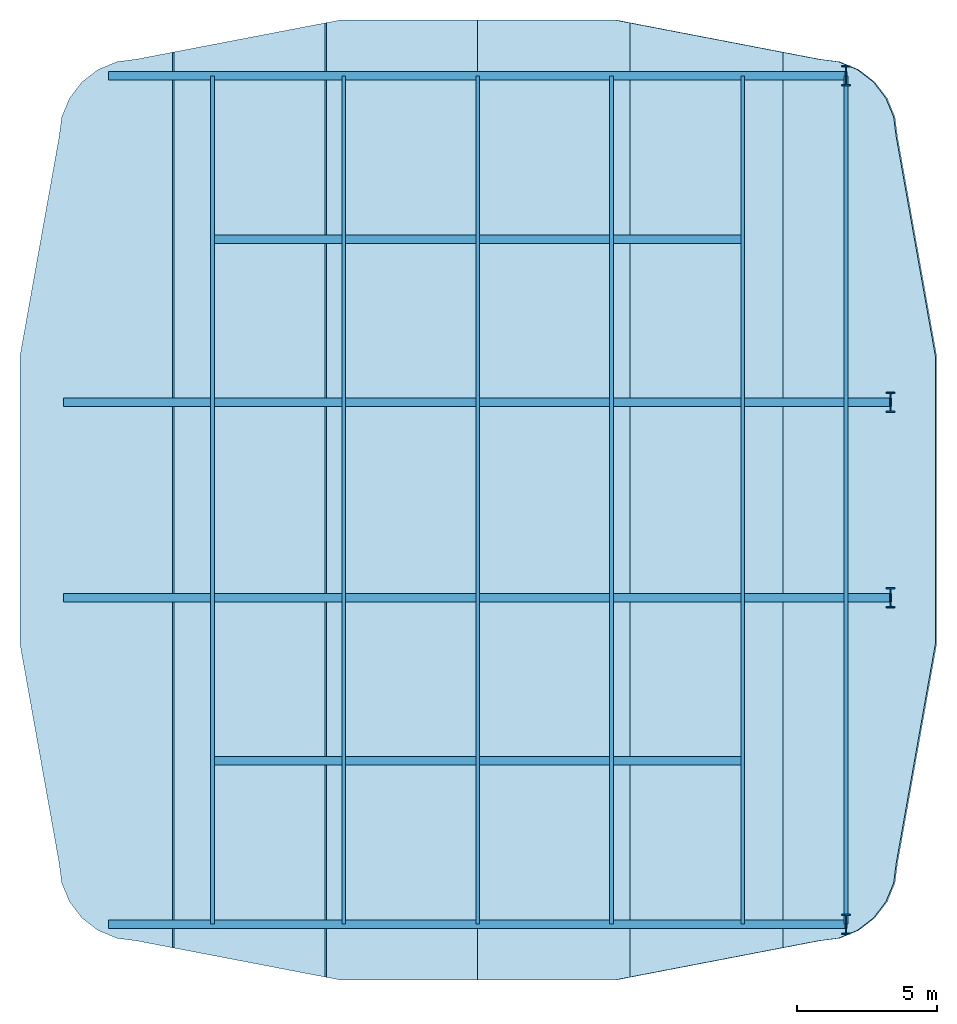
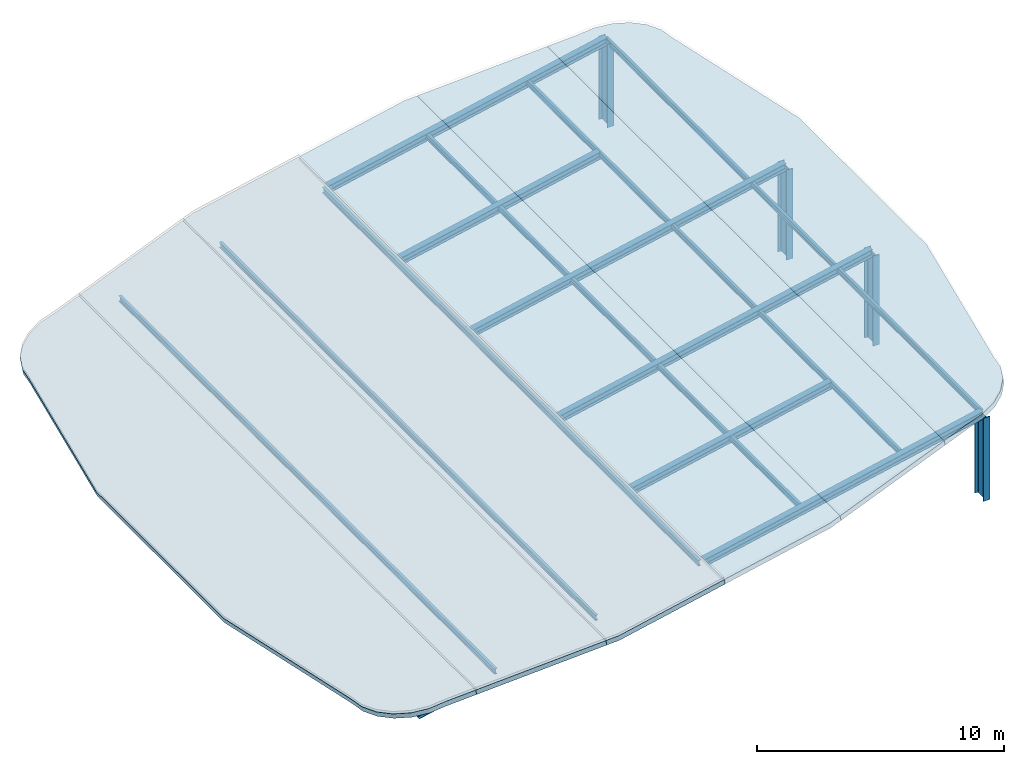
# One storey, part 1 of 2: 12 members, 6 slabs, 4 columns.
"""IFC4 building model written with IfcOpenShell, lengths in metres."""

from ifc_helpers import new_model, si_unit, derived_unit, direction, frame, origin, origin_2d, place, context, subcontext, project, spatial, polyline, i_section, outline, extrude, material, layer, layer_set, material_profile, profile_set, type_object, element, save


model = new_model("IFC4")

# Units and contexts
model_context = context("Model", 3, precision=1e-05, world=origin(), true_north=direction((0.0, 1.0)))
body_context = subcontext(model_context, "Body", "Model", "MODEL_VIEW")
ifc_project = project(units=[si_unit("LENGTHUNIT", "METRE"), si_unit("AREAUNIT", "SQUARE_METRE"), si_unit("VOLUMEUNIT", "CUBIC_METRE"), si_unit("PLANEANGLEUNIT", "RADIAN"), si_unit("MASSUNIT", "GRAM", prefix="KILO"), derived_unit("THERMALTRANSMITTANCEUNIT", [(si_unit("POWERUNIT", "WATT"), 1), (si_unit("LENGTHUNIT", "METRE"), -2), (si_unit("THERMODYNAMICTEMPERATUREUNIT", "KELVIN"), -1)])], contexts=[model_context])

# Site, building, storey
site_placement = place(None, origin())
site = spatial("IfcSite", under=ifc_project, at=site_placement, CompositionType="ELEMENT")
building_placement = place(site_placement, origin())
building = spatial("IfcBuilding", under=site, at=building_placement, Name="Kivonza Crest Hotel", CompositionType="ELEMENT")
storey_placement = place(building_placement, frame((0.0, 0.0, 276.800048828125)))
storey = spatial("IfcBuildingStorey", under=building, at=storey_placement, Name="RF", CompositionType="ELEMENT", Elevation=276.800048828125)

# Columns
ifc_material_1 = material(Name="Steel S355", Category="steel")
ifc_material_profile_1 = material_profile(ifc_material_1, i_section(OverallWidth=0.303955078125, OverallDepth=0.716064453125, WebThickness=0.02099609375, FlangeThickness=0.0400390625, FilletRadius=0.027099609375, at=origin_2d()), Name="HEM 700")
ifc_profile_set_1 = profile_set([ifc_material_profile_1], Name="Steel S355")
column_type = type_object("IfcColumnType", Name="CL-ST-HEM700", PredefinedType="COLUMN", material=ifc_profile_set_1)
for number, where, z_axis, x_axis, name in (
    (1, (35.800048828125, 21.5, 0.0), (0.0, 0.0, 1.0), (1.0, 0.0, 0.0), "Crown roof support column E1"),
    (2, (35.800048828125, 28.5, 0.0), (0.0, 0.0, 1.0), (1.0, 0.0, 0.0), "Crown roof support column E2"),
):
    element("IfcColumn", number, at=place(storey_placement, frame(where, z_axis=z_axis, x_axis=x_axis)), inside=storey, type_object=column_type, Name=name, PredefinedType="COLUMN", context=body_context, shape_type="SweptSolid", body=[
        extrude(i_section(OverallWidth=0.303955078125, OverallDepth=0.716064453125, WebThickness=0.02099609375, FlangeThickness=0.0400390625, FilletRadius=0.027099609375, at=origin_2d()), origin(), (0.0, 0.0, 1.0), 4.43994140625),
    ])
for number, where, z_axis, x_axis, name in (
    (3, (34.199951171875, 9.800048828125, 0.0), (0.0, 0.0, 1.0), (1.0, 0.0, 0.0), "Crown roof support column SE"),
    (4, (34.199951171875, 40.199951171875, 0.0), (0.0, 0.0, 1.0), (1.0, 0.0, 0.0), "Crown roof support column NE"),
):
    element("IfcColumn", number, at=place(storey_placement, frame(where, z_axis=z_axis, x_axis=x_axis)), inside=storey, type_object=column_type, Name=name, PredefinedType="COLUMN", context=body_context, shape_type="SweptSolid", body=[
        extrude(i_section(OverallWidth=0.303955078125, OverallDepth=0.716064453125, WebThickness=0.02099609375, FlangeThickness=0.0400390625, FilletRadius=0.027099609375, at=origin_2d()), origin(), (0.0, 0.0, 1.0), 4.099853515625),
    ])

# Members
ifc_material_profile_2 = material_profile(ifc_material_1, i_section(OverallWidth=0.135009765625, OverallDepth=0.27001953125, WebThickness=0.006591796875, FlangeThickness=0.01025390625, FilletRadius=0.014892578125, at=origin_2d()), Name="IPE 270")
ifc_profile_set_2 = profile_set([ifc_material_profile_2], Name="Steel S355")
member_type_1 = type_object("IfcMemberType", Name="MB-PURL-IPE270", PredefinedType="PURLIN", material=ifc_profile_set_2)
for number, where, z_axis, x_axis, name in (
    (5, (11.5, 9.800048828125, -0.705078125), (0.0, 1.0, 0.0), (-1.0, 0.0, 0.0), "Crown roof secondary purlin 1"),
    (6, (16.199951171875, 9.800048828125, 0.2939453125), (0.0, 1.0, 0.0), (-1.0, 0.0, 0.0), "Crown roof secondary purlin 2"),
    (7, (21.0, 9.800048828125, 1.31396484375), (0.0, 1.0, 0.0), (-1.0, 0.0, 0.0), "Crown roof secondary purlin 3"),
    (8, (25.800048828125, 9.800048828125, 2.333984375), (0.0, 1.0, 0.0), (-1.0, 0.0, 0.0), "Crown roof secondary purlin 4"),
    (9, (30.5, 9.800048828125, 3.3330078125), (0.0, 1.0, 0.0), (-1.0, 0.0, 0.0), "Crown roof secondary purlin 5"),
    (10, (34.199951171875, 9.800048828125, 4.119873046875), (0.0, 1.0, 0.0), (-1.0, 0.0, 0.0), "Crown roof secondary purlin 6"),
):
    element("IfcMember", number, at=place(storey_placement, frame(where, z_axis=z_axis, x_axis=x_axis)), inside=storey, type_object=member_type_1, Name=name, PredefinedType="PURLIN", context=body_context, shape_type="SweptSolid", body=[
        extrude(i_section(OverallWidth=0.135009765625, OverallDepth=0.27001953125, WebThickness=0.006591796875, FlangeThickness=0.01025390625, FilletRadius=0.014892578125, at=origin_2d()), origin(), (0.0, 0.0, 1.0), 30.39990234375),
    ])
ifc_material_profile_3 = material_profile(ifc_material_1, i_section(OverallWidth=0.300048828125, OverallDepth=0.360107421875, WebThickness=0.012451171875, FlangeThickness=0.0224609375, FilletRadius=0.027099609375, at=origin_2d()), Name="HEB 360")
ifc_profile_set_3 = profile_set([ifc_material_profile_3], Name="Steel S355")
member_type_2 = type_object("IfcMemberType", Name="MB-RAFT-HEB360", PredefinedType="RAFTER", material=ifc_profile_set_3)
member_1_placement = place(storey_placement, frame((7.800048828125, 9.800048828125, -1.511962890625), z_axis=(0.978145009097, 0.0, 0.207923883137), x_axis=(0.0, 1.0, 0.0)))
element("IfcMember", 11, at=member_1_placement, inside=storey, type_object=member_type_2, Name="Crown sloped structural rafter 1", PredefinedType="RAFTER", context=body_context, shape_type="SweptSolid", body=[
    extrude(i_section(OverallWidth=0.300048828125, OverallDepth=0.360107421875, WebThickness=0.012451171875, FlangeThickness=0.0224609375, FilletRadius=0.027099609375, at=origin_2d()), origin(), (0.0, 0.0, 1.0), 26.98974609375),
])
for number, where, z_axis, x_axis, name in (
    (12, (6.199951171875, 21.5, -1.85205078125), (0.978145603362, 0.0, 0.207921087493), (0.0, 1.0, 0.0), "Crown sloped structural rafter 2"),
    (13, (6.199951171875, 28.5, -1.85205078125), (0.978145603362, 0.0, 0.207921087493), (0.0, 1.0, 0.0), "Crown sloped structural rafter 3"),
):
    element("IfcMember", number, at=place(storey_placement, frame(where, z_axis=z_axis, x_axis=x_axis)), inside=storey, type_object=member_type_2, Name=name, PredefinedType="RAFTER", context=body_context, shape_type="SweptSolid", body=[
        extrude(i_section(OverallWidth=0.300048828125, OverallDepth=0.360107421875, WebThickness=0.012451171875, FlangeThickness=0.0224609375, FilletRadius=0.027099609375, at=origin_2d()), origin(), (0.0, 0.0, 1.0), 30.261474609375),
    ])
member_2_placement = place(storey_placement, frame((7.800048828125, 40.199951171875, -1.511962890625), z_axis=(0.978145009097, 0.0, 0.207923883137), x_axis=(0.0, 1.0, 0.0)))
element("IfcMember", 14, at=member_2_placement, inside=storey, type_object=member_type_2, Name="Crown sloped structural rafter 4", PredefinedType="RAFTER", context=body_context, shape_type="SweptSolid", body=[
    extrude(i_section(OverallWidth=0.300048828125, OverallDepth=0.360107421875, WebThickness=0.012451171875, FlangeThickness=0.0224609375, FilletRadius=0.027099609375, at=origin_2d()), origin(), (0.0, 0.0, 1.0), 26.98974609375),
])
for number, where, z_axis, x_axis, name in (
    (15, (11.5, 15.64990234375, -0.72509765625), (0.978152717363, 0.0, 0.207887617511), (0.0, 1.0, 0.0), "Crown sloped structural rafter 5"),
    (16, (11.5, 34.35009765625, -0.72509765625), (0.978152717363, 0.0, 0.207887617511), (0.0, 1.0, 0.0), "Crown sloped structural rafter 6"),
):
    element("IfcMember", number, at=place(storey_placement, frame(where, z_axis=z_axis, x_axis=x_axis)), inside=storey, type_object=member_type_2, Name=name, PredefinedType="RAFTER", context=body_context, shape_type="SweptSolid", body=[
        extrude(i_section(OverallWidth=0.300048828125, OverallDepth=0.360107421875, WebThickness=0.012451171875, FlangeThickness=0.0224609375, FilletRadius=0.027099609375, at=origin_2d()), origin(), (0.0, 0.0, 1.0), 19.42431640625),
    ])

# Slabs
ifc_material_2 = material(Name="Concrete C40/50", Category="concrete")
ifc_layer = layer(ifc_material_2, 0.239990234375)
ifc_layer_set = layer_set([ifc_layer], Name="Concrete C40/50")
slab_type = type_object("IfcSlabType", Name="SL-CROWN-240", PredefinedType="ROOF", material=ifc_layer_set)
slab_1_placement = place(storey_placement, frame((10.06689453125, 8.9560546875, -0.60986328125), z_axis=(-0.207926178892, 0.0, 0.978144521086), x_axis=(0.0, 1.0, 0.0)))
element("IfcSlab", 17, at=slab_1_placement, inside=storey, type_object=slab_type, Name="Sloped crown roof slab SL-RF-CROWN-01", PredefinedType="ROOF", context=body_context, shape_type="SweptSolid", body=[
    extrude(outline(polyline([(0.0, 0.0), (32.087890625, 0.0), (31.843994140625, 1.2951500232508015), (31.7490234375, 2.036431919370798), (31.468994140625, 2.726576009700982), (31.02392578125, 3.3193728744277142), (30.44384765625, 3.7743594206122206), (29.76904296875, 4.0606547705477105), (29.0439453125, 4.157763191336444), (21.203857421875, 5.5889503729719054), (10.884033203125, 5.5889503729719054), (3.0439453125, 4.157763191336444), (2.31884765625, 4.0606547705477105), (1.64404296875, 3.7743594206122206), (1.06396484375, 3.3193728744277142), (0.618896484375, 2.726576009700982), (0.3388671875, 2.036431919370798), (0.243896484375, 1.2951500232508015), (0.0, 0.0)])), origin(), (0.0, 0.0, -1.0), 0.239990234375),
])
slab_2_placement = place(storey_placement, frame((15.532958984375, 7.905029296875, 0.552001953125), z_axis=(-0.207914664514, 0.0, 0.97814696865), x_axis=(0.0, 1.0, 0.0)))
element("IfcSlab", 18, at=slab_2_placement, inside=storey, type_object=slab_type, Name="Sloped crown roof slab SL-RF-CROWN-02", PredefinedType="ROOF", context=body_context, shape_type="SweptSolid", body=[
    extrude(outline(polyline([(0.0, 0.0), (34.18994140625, 0.0), (33.138916015625, 5.588183195687662), (1.051025390625, 5.588183195687662), (0.0, 0.0)])), origin(), (0.0, 0.0, -1.0), 0.239990234375),
])
slab_3_placement = place(storey_placement, frame((21.0, 7.800048828125, 1.714111328125), z_axis=(-0.207920969517, 0.0, 0.978145628439), x_axis=(0.0, 1.0, 0.0)))
element("IfcSlab", 19, at=slab_3_placement, inside=storey, type_object=slab_type, Name="Sloped crown roof slab SL-RF-CROWN-03", PredefinedType="ROOF", context=body_context, shape_type="SweptSolid", body=[
    extrude(outline(polyline([(0.0, 0.0), (34.39990234375, 0.0), (34.39990234375, 5.029864291435946), (34.294921875, 5.589189177867292), (0.10498046875, 5.589189177867292), (0.0, 5.029864291435946), (0.0, 0.0)])), origin(), (0.0, 0.0, -1.0), 0.239990234375),
])
slab_4_placement = place(storey_placement, frame((26.467041015625, 7.905029296875, 2.8759765625), z_axis=(-0.207879163687, 0.0, 0.978154514024), x_axis=(0.0, 1.0, 0.0)))
element("IfcSlab", 20, at=slab_4_placement, inside=storey, type_object=slab_type, Name="Sloped crown roof slab SL-RF-CROWN-04", PredefinedType="ROOF", context=body_context, shape_type="SweptSolid", body=[
    extrude(outline(polyline([(0.0, 0.0), (34.18994140625, 0.0), (34.294921875, 0.5593248896098523), (34.294921875, 5.589138421024771), (-0.10498046875, 5.589138421024771), (-0.10498046875, 0.5593248896098523), (0.0, 0.0)])), origin(), (0.0, 0.0, -1.0), 0.239990234375),
])
slab_5_placement = place(storey_placement, frame((31.93310546875, 8.9560546875, 4.037841796875), z_axis=(-0.207914664514, 0.0, 0.97814696865), x_axis=(0.0, 1.0, 0.0)))
element("IfcSlab", 21, at=slab_5_placement, inside=storey, type_object=slab_type, Name="Sloped crown roof slab SL-RF-CROWN-05", PredefinedType="ROOF", context=body_context, shape_type="SweptSolid", body=[
    extrude(outline(polyline([(0.0, 0.0), (32.087890625, 0.0), (33.138916015625, 5.588183195687662), (-1.051025390625, 5.588183195687662), (0.0, 0.0)])), origin(), (0.0, 0.0, -1.0), 0.239990234375),
])
slab_6_placement = place(storey_placement, frame((37.39990234375, 19.840087890625, 5.199951171875), z_axis=(-0.207929162934, 0.0, 0.978143886758), x_axis=(0.0, 1.0, 0.0)))
element("IfcSlab", 22, at=slab_6_placement, inside=storey, type_object=slab_type, Name="Sloped crown roof slab SL-RF-CROWN-06", PredefinedType="ROOF", context=body_context, shape_type="SweptSolid", body=[
    extrude(outline(polyline([(0.0, 0.0), (10.31982421875, 0.0), (18.159912109375, 1.4311871817103292), (18.885009765625, 1.5282956027240715), (19.559814453125, 1.8145401888334725), (20.139892578125, 2.269577498593672), (20.5849609375, 2.8623743634206584), (20.864990234375, 3.5524676899654457), (20.9599609375, 4.293749585835046), (21.203857421875, 5.5889503730091485), (-10.884033203125, 5.5889503730091485), (-10.64013671875, 4.293749585835046), (-10.545166015625, 3.5524676899654457), (-10.26513671875, 2.8623743634206584), (-9.820068359375, 2.269577498593672), (-9.239990234375, 1.8145401888334725), (-8.565185546875, 1.5282956027240715), (-7.840087890625, 1.4311871817103292), (0.0, 0.0)])), origin(), (0.0, 0.0, -1.0), 0.239990234375),
])

save(model, "model.ifc")
